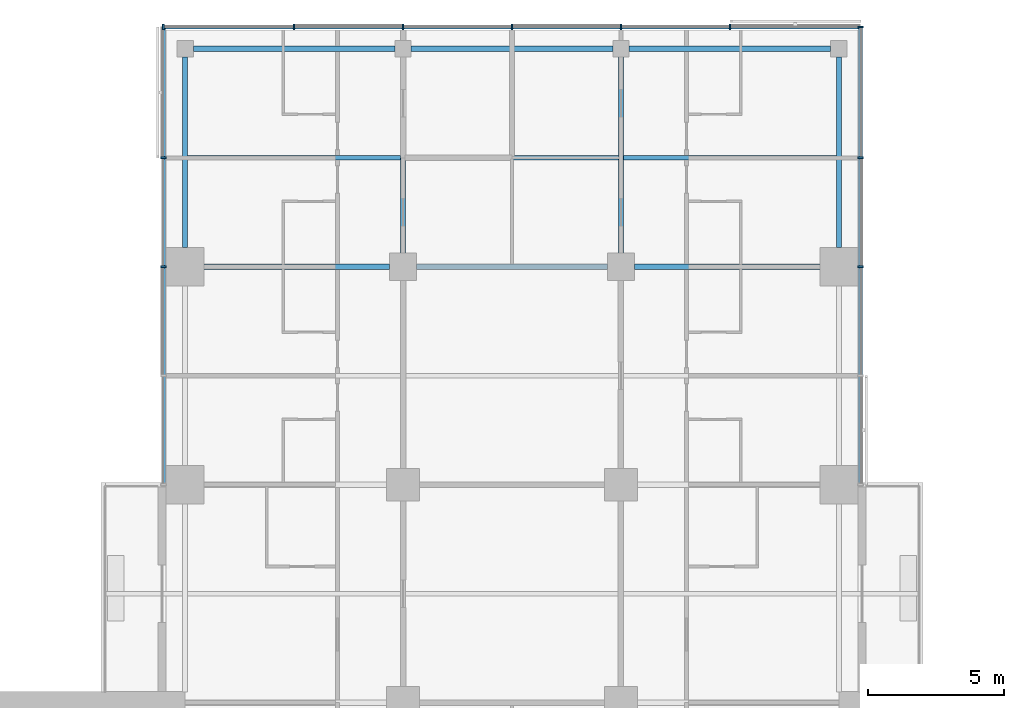
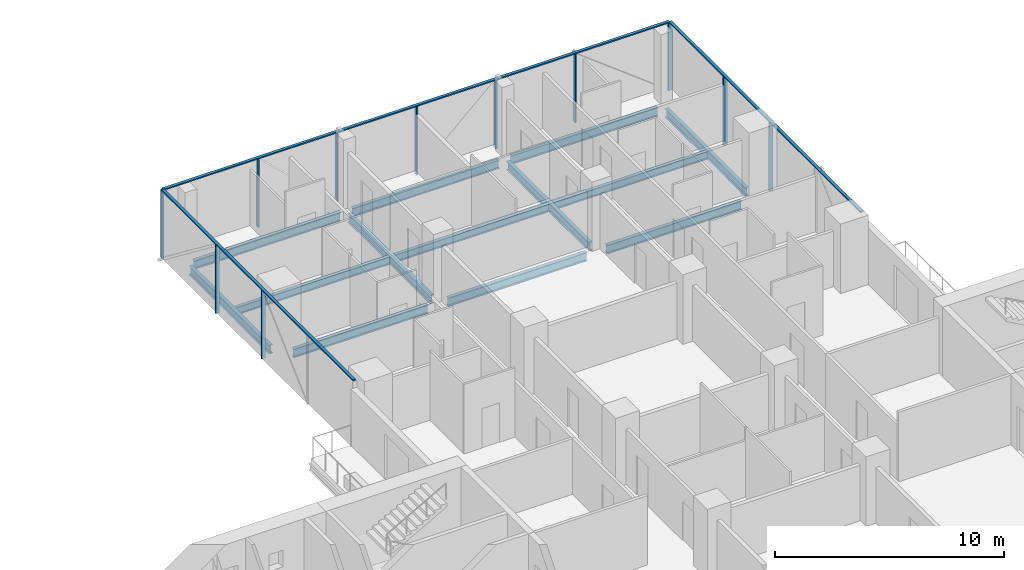
# One storey, part 12 of 29: 14 members, 13 beams, 3 elements without a shape of their own.
"""IFC4 building model written with IfcOpenShell, lengths in metres."""

from ifc_helpers import new_model, si_unit, direction, frame, origin, origin_2d, place, context, subcontext, project, spatial, rectangle, i_section, extrude, material, material_profile, profile_set, type_object, element, aggregate, save


model = new_model("IFC4")

# Units and contexts
model_context = context("Model", 3, precision=1e-05, world=origin(), true_north=direction((0.0, 1.0)))
body_context = subcontext(model_context, "Body", "Model", "MODEL_VIEW")
ifc_project = project(units=[si_unit("LENGTHUNIT", "METRE"), si_unit("AREAUNIT", "SQUARE_METRE"), si_unit("VOLUMEUNIT", "CUBIC_METRE"), si_unit("PLANEANGLEUNIT", "RADIAN"), si_unit("MASSUNIT", "GRAM", prefix="KILO")], contexts=[model_context])

# Site, building, storey
site_placement = place(None, origin())
site = spatial("IfcSite", under=ifc_project, at=site_placement, CompositionType="ELEMENT")
building_placement = place(site_placement, origin())
building = spatial("IfcBuilding", under=site, at=building_placement, Name="Crosswind Convention Tower", CompositionType="ELEMENT")
storey_placement = place(building_placement, frame((0.0, 0.0, 57.199951171875)))
storey = spatial("IfcBuildingStorey", under=building, at=storey_placement, Name="L08", CompositionType="ELEMENT", Elevation=57.199951171875)

# Beams
ifc_material_1 = material(Name="Steel S355", Category="steel")
ifc_material_profile_1 = material_profile(ifc_material_1, i_section(OverallWidth=0.1904296875, OverallDepth=0.457275390625, WebThickness=0.009033203125, FlangeThickness=0.014404296875, FilletRadius=0.01025390625, at=origin_2d()), Name="UB 457x191x75")
ifc_profile_set_1 = profile_set([ifc_material_profile_1], Name="Steel S355")
beam_type_1 = type_object("IfcBeamType", Name="Edge beam UB 457x191x75", PredefinedType="SPANDREL", material=ifc_profile_set_1)
beam_1_placement = place(storey_placement, frame((113.0, 128.699951171875, -0.508544921875), z_axis=(0.0, 1.0, 0.0), x_axis=(-1.0, 0.0, 0.0)))
element("IfcBeam", 1, at=beam_1_placement, inside=storey, type_object=beam_type_1, Name="B17 L08 edge beam 11", PredefinedType="SPANDREL", context=body_context, shape_type="SweptSolid", body=[
    extrude(i_section(OverallWidth=0.1904296875, OverallDepth=0.457275390625, WebThickness=0.009033203125, FlangeThickness=0.014404296875, FilletRadius=0.01025390625, at=origin_2d()), origin(), (0.0, 0.0, 1.0), 7.0),
])
for number, where, z_axis, x_axis, name in (
    (2, (113.300048828125, 136.0, -0.508544921875), (1.0, 0.0, 0.0), (0.0, 1.0, 0.0), "B17 L08 edge beam 13"),
    (3, (121.300048828125, 136.0, -0.508544921875), (1.0, 0.0, 0.0), (0.0, 1.0, 0.0), "B17 L08 edge beam 15"),
    (4, (129.300048828125, 136.0, -0.508544921875), (1.0, 0.0, 0.0), (0.0, 1.0, 0.0), "B17 L08 edge beam 17"),
):
    element("IfcBeam", number, at=place(storey_placement, frame(where, z_axis=z_axis, x_axis=x_axis)), inside=storey, type_object=beam_type_1, Name=name, PredefinedType="SPANDREL", context=body_context, shape_type="SweptSolid", body=[
        extrude(i_section(OverallWidth=0.1904296875, OverallDepth=0.457275390625, WebThickness=0.009033203125, FlangeThickness=0.014404296875, FilletRadius=0.01025390625, at=origin_2d()), origin(), (0.0, 0.0, 1.0), 7.39990234375),
    ])
beam_2_placement = place(storey_placement, frame((137.0, 128.699951171875, -0.508544921875), z_axis=(0.0, 1.0, 0.0), x_axis=(-1.0, 0.0, 0.0)))
element("IfcBeam", 5, at=beam_2_placement, inside=storey, type_object=beam_type_1, Name="B17 L08 edge beam 23", PredefinedType="SPANDREL", context=body_context, shape_type="SweptSolid", body=[
    extrude(i_section(OverallWidth=0.1904296875, OverallDepth=0.457275390625, WebThickness=0.009033203125, FlangeThickness=0.014404296875, FilletRadius=0.01025390625, at=origin_2d()), origin(), (0.0, 0.0, 1.0), 7.0),
])
ifc_material_profile_2 = material_profile(ifc_material_1, i_section(OverallWidth=0.19140625, OverallDepth=0.460205078125, WebThickness=0.010009765625, FlangeThickness=0.01611328125, FilletRadius=0.01025390625, at=origin_2d()), Name="UB 457x191x82")
ifc_profile_set_2 = profile_set([ifc_material_profile_2], Name="Steel S355")
beam_type_2 = type_object("IfcBeamType", Name="Girder UB 457x191x82", PredefinedType="BEAM", material=ifc_profile_set_2)
beam_3_placement = place(storey_placement, frame((113.699951171875, 128.0, -0.510009765625), z_axis=(1.0, 0.0, 0.0), x_axis=(0.0, 1.0, 0.0)))
element("IfcBeam", 6, at=beam_3_placement, inside=storey, type_object=beam_type_2, Name="B3 L08 girder 4", PredefinedType="BEAM", context=body_context, shape_type="SweptSolid", body=[
    extrude(i_section(OverallWidth=0.19140625, OverallDepth=0.460205078125, WebThickness=0.010009765625, FlangeThickness=0.01611328125, FilletRadius=0.01025390625, at=origin_2d()), origin(), (0.0, 0.0, 1.0), 6.800048828125),
])
beam_4_placement = place(storey_placement, frame((121.0, 128.5, -0.510009765625), z_axis=(0.0, 1.0, 0.0), x_axis=(-1.0, 0.0, 0.0)))
element("IfcBeam", 7, at=beam_4_placement, inside=storey, type_object=beam_type_2, Name="B3 L08 girder 13", PredefinedType="BEAM", context=body_context, shape_type="SweptSolid", body=[
    extrude(i_section(OverallWidth=0.19140625, OverallDepth=0.460205078125, WebThickness=0.010009765625, FlangeThickness=0.01611328125, FilletRadius=0.01025390625, at=origin_2d()), origin(), (0.0, 0.0, 1.0), 7.199951171875),
])
beam_5_placement = place(storey_placement, frame((121.5, 128.0, -0.510009765625), z_axis=(1.0, 0.0, 0.0), x_axis=(0.0, 1.0, 0.0)))
element("IfcBeam", 8, at=beam_5_placement, inside=storey, type_object=beam_type_2, Name="B3 L08 girder 15", PredefinedType="BEAM", context=body_context, shape_type="SweptSolid", body=[
    extrude(i_section(OverallWidth=0.19140625, OverallDepth=0.460205078125, WebThickness=0.010009765625, FlangeThickness=0.01611328125, FilletRadius=0.01025390625, at=origin_2d()), origin(), (0.0, 0.0, 1.0), 7.0),
])
beam_6_placement = place(storey_placement, frame((129.0, 128.5, -0.510009765625), z_axis=(0.0, 1.0, 0.0), x_axis=(-1.0, 0.0, 0.0)))
element("IfcBeam", 9, at=beam_6_placement, inside=storey, type_object=beam_type_2, Name="B3 L08 girder 30", PredefinedType="BEAM", context=body_context, shape_type="SweptSolid", body=[
    extrude(i_section(OverallWidth=0.19140625, OverallDepth=0.460205078125, WebThickness=0.010009765625, FlangeThickness=0.01611328125, FilletRadius=0.01025390625, at=origin_2d()), origin(), (0.0, 0.0, 1.0), 7.199951171875),
])
beam_7_placement = place(storey_placement, frame((129.5, 128.0, -0.510009765625), z_axis=(1.0, 0.0, 0.0), x_axis=(0.0, 1.0, 0.0)))
element("IfcBeam", 10, at=beam_7_placement, inside=storey, type_object=beam_type_2, Name="B3 L08 girder 32", PredefinedType="BEAM", context=body_context, shape_type="SweptSolid", body=[
    extrude(i_section(OverallWidth=0.19140625, OverallDepth=0.460205078125, WebThickness=0.010009765625, FlangeThickness=0.01611328125, FilletRadius=0.01025390625, at=origin_2d()), origin(), (0.0, 0.0, 1.0), 6.800048828125),
])

# Curtain wall, members
ifc_material_2 = material(Name="Aluminium unitised curtain wall", Category="aluminium")
curtain_wall_type = type_object("IfcCurtainWallType", Name="HOTEL UNITISED WALL 200", PredefinedType="USERDEFINED", material=ifc_material_2)
curtain_wall_1_placement = place(storey_placement, origin())
curtain_wall_1 = element("IfcCurtainWall", 11, at=curtain_wall_1_placement, inside=storey, type_object=curtain_wall_type, Name="CW2 L08 N-E 1", ObjectType="UNITISED", PredefinedType="USERDEFINED")
ifc_material_3 = material(Name="Aluminium mullion", Category="aluminium")
ifc_material_profile_3 = material_profile(ifc_material_3, rectangle(XDim=0.199951171875, YDim=0.06494140625, at=origin_2d()), Name="AL 200X65")
ifc_profile_set_3 = profile_set([ifc_material_profile_3], Name="Aluminium mullion")
member_type_1 = type_object("IfcMemberType", Name="MULLION 65X200", PredefinedType="MULLION", material=ifc_profile_set_3)
member_1_placement = place(storey_placement, frame((137.800048828125, 128.0, -0.280029296875), z_axis=(0.0, 0.0, 1.0), x_axis=(1.0, 0.0, 0.0)))
member_1 = element("IfcMember", 12, at=member_1_placement, type_object=member_type_1, Name="CW2 mullion 3", PredefinedType="MULLION", context=body_context, shape_type="SweptSolid", body=[
    extrude(rectangle(XDim=0.199951171875, YDim=0.06494140625, at=origin_2d()), origin(), (0.0, 0.0, 1.0), 3.635009765625),
])
member_2_placement = place(storey_placement, frame((137.800048828125, 132.0, -0.280029296875), z_axis=(0.0, 0.0, 1.0), x_axis=(1.0, 0.0, 0.0)))
member_2 = element("IfcMember", 13, at=member_2_placement, type_object=member_type_1, Name="CW2 mullion 4", PredefinedType="MULLION", context=body_context, shape_type="SweptSolid", body=[
    extrude(rectangle(XDim=0.199951171875, YDim=0.06494140625, at=origin_2d()), origin(), (0.0, 0.0, 1.0), 3.635009765625),
])
member_3_placement = place(storey_placement, frame((137.800048828125, 136.800048828125, -0.280029296875), z_axis=(0.0, 0.0, 1.0), x_axis=(1.0, 0.0, 0.0)))
member_3 = element("IfcMember", 14, at=member_3_placement, type_object=member_type_1, Name="CW2 mullion 5", PredefinedType="MULLION", context=body_context, shape_type="SweptSolid", body=[
    extrude(rectangle(XDim=0.199951171875, YDim=0.06494140625, at=origin_2d()), origin(), (0.0, 0.0, 1.0), 3.635009765625),
])

curtain_wall_2_placement = place(storey_placement, origin())
curtain_wall_2 = element("IfcCurtainWall", 15, at=curtain_wall_2_placement, inside=storey, type_object=curtain_wall_type, Name="CW2 L08 N-TIP 1", ObjectType="UNITISED", PredefinedType="USERDEFINED")
member_4_placement = place(storey_placement, frame((133.0, 136.800048828125, -0.280029296875), z_axis=(0.0, 0.0, 1.0), x_axis=(0.0, 1.0, 0.0)))
member_4 = element("IfcMember", 16, at=member_4_placement, type_object=member_type_1, Name="CW2 mullion 2", PredefinedType="MULLION", context=body_context, shape_type="SweptSolid", body=[
    extrude(rectangle(XDim=0.199951171875, YDim=0.06494140625, at=origin_2d()), origin(), (0.0, 0.0, 1.0), 3.635009765625),
])
member_5_placement = place(storey_placement, frame((129.0, 136.800048828125, -0.280029296875), z_axis=(0.0, 0.0, 1.0), x_axis=(0.0, 1.0, 0.0)))
member_5 = element("IfcMember", 17, at=member_5_placement, type_object=member_type_1, Name="CW2 mullion 3", PredefinedType="MULLION", context=body_context, shape_type="SweptSolid", body=[
    extrude(rectangle(XDim=0.199951171875, YDim=0.06494140625, at=origin_2d()), origin(), (0.0, 0.0, 1.0), 3.635009765625),
])
member_6_placement = place(storey_placement, frame((125.0, 136.800048828125, -0.280029296875), z_axis=(0.0, 0.0, 1.0), x_axis=(0.0, 1.0, 0.0)))
member_6 = element("IfcMember", 18, at=member_6_placement, type_object=member_type_1, Name="CW2 mullion 4", PredefinedType="MULLION", context=body_context, shape_type="SweptSolid", body=[
    extrude(rectangle(XDim=0.199951171875, YDim=0.06494140625, at=origin_2d()), origin(), (0.0, 0.0, 1.0), 3.635009765625),
])
member_7_placement = place(storey_placement, frame((121.0, 136.800048828125, -0.280029296875), z_axis=(0.0, 0.0, 1.0), x_axis=(0.0, 1.0, 0.0)))
member_7 = element("IfcMember", 19, at=member_7_placement, type_object=member_type_1, Name="CW2 mullion 5", PredefinedType="MULLION", context=body_context, shape_type="SweptSolid", body=[
    extrude(rectangle(XDim=0.199951171875, YDim=0.06494140625, at=origin_2d()), origin(), (0.0, 0.0, 1.0), 3.635009765625),
])
member_8_placement = place(storey_placement, frame((117.0, 136.800048828125, -0.280029296875), z_axis=(0.0, 0.0, 1.0), x_axis=(0.0, 1.0, 0.0)))
member_8 = element("IfcMember", 20, at=member_8_placement, type_object=member_type_1, Name="CW2 mullion 6", PredefinedType="MULLION", context=body_context, shape_type="SweptSolid", body=[
    extrude(rectangle(XDim=0.199951171875, YDim=0.06494140625, at=origin_2d()), origin(), (0.0, 0.0, 1.0), 3.635009765625),
])
member_9_placement = place(storey_placement, frame((112.199951171875, 136.800048828125, -0.280029296875), z_axis=(0.0, 0.0, 1.0), x_axis=(0.0, 1.0, 0.0)))
member_9 = element("IfcMember", 21, at=member_9_placement, type_object=member_type_1, Name="CW2 mullion 7", PredefinedType="MULLION", context=body_context, shape_type="SweptSolid", body=[
    extrude(rectangle(XDim=0.199951171875, YDim=0.06494140625, at=origin_2d()), origin(), (0.0, 0.0, 1.0), 3.635009765625),
])

curtain_wall_3_placement = place(storey_placement, origin())
curtain_wall_3 = element("IfcCurtainWall", 22, at=curtain_wall_3_placement, inside=storey, type_object=curtain_wall_type, Name="CW2 L08 N-W 1", ObjectType="UNITISED", PredefinedType="USERDEFINED")
member_10_placement = place(storey_placement, frame((112.199951171875, 132.0, -0.280029296875), z_axis=(0.0, 0.0, 1.0), x_axis=(-1.0, 0.0, 0.0)))
member_10 = element("IfcMember", 23, at=member_10_placement, type_object=member_type_1, Name="CW2 mullion 2", PredefinedType="MULLION", context=body_context, shape_type="SweptSolid", body=[
    extrude(rectangle(XDim=0.199951171875, YDim=0.06494140625, at=origin_2d()), origin(), (0.0, 0.0, 1.0), 3.635009765625),
])
member_11_placement = place(storey_placement, frame((112.199951171875, 128.0, -0.280029296875), z_axis=(0.0, 0.0, 1.0), x_axis=(-1.0, 0.0, 0.0)))
member_11 = element("IfcMember", 24, at=member_11_placement, type_object=member_type_1, Name="CW2 mullion 3", PredefinedType="MULLION", context=body_context, shape_type="SweptSolid", body=[
    extrude(rectangle(XDim=0.199951171875, YDim=0.06494140625, at=origin_2d()), origin(), (0.0, 0.0, 1.0), 3.635009765625),
])

# Beams
ifc_material_profile_4 = material_profile(ifc_material_1, i_section(OverallWidth=0.177734375, OverallDepth=0.406494140625, WebThickness=0.0078125, FlangeThickness=0.0126953125, FilletRadius=0.01025390625, at=origin_2d()), Name="UB 406x178x60")
ifc_profile_set_4 = profile_set([ifc_material_profile_4], Name="Steel S355")
beam_type_3 = type_object("IfcBeamType", Name="Secondary beam UB 406x178x60", PredefinedType="JOIST", material=ifc_profile_set_4)
beam_8_placement = place(storey_placement, frame((113.09521484375, 132.0, -0.483154296875), z_axis=(1.0, 0.0, 0.0), x_axis=(0.0, 1.0, 0.0)))
element("IfcBeam", 25, at=beam_8_placement, inside=storey, type_object=beam_type_3, Name="B10 L08 secondary beam 12", PredefinedType="JOIST", context=body_context, shape_type="SweptSolid", body=[
    extrude(i_section(OverallWidth=0.177734375, OverallDepth=0.406494140625, WebThickness=0.0078125, FlangeThickness=0.0126953125, FilletRadius=0.01025390625, at=origin_2d()), origin(), (0.0, 0.0, 1.0), 7.80908203125),
])
beam_9_placement = place(storey_placement, frame((121.095703125, 132.0, -0.483154296875), z_axis=(1.0, 0.0, 0.0), x_axis=(0.0, 1.0, 0.0)))
element("IfcBeam", 26, at=beam_9_placement, inside=storey, type_object=beam_type_3, Name="B10 L08 secondary beam 21", PredefinedType="JOIST", context=body_context, shape_type="SweptSolid", body=[
    extrude(i_section(OverallWidth=0.177734375, OverallDepth=0.406494140625, WebThickness=0.0078125, FlangeThickness=0.0126953125, FilletRadius=0.01025390625, at=origin_2d()), origin(), (0.0, 0.0, 1.0), 7.80859375),
])
beam_10_placement = place(storey_placement, frame((129.095703125, 132.0, -0.483154296875), z_axis=(1.0, 0.0, 0.0), x_axis=(0.0, 1.0, 0.0)))
element("IfcBeam", 27, at=beam_10_placement, inside=storey, type_object=beam_type_3, Name="B10 L08 secondary beam 30", PredefinedType="JOIST", context=body_context, shape_type="SweptSolid", body=[
    extrude(i_section(OverallWidth=0.177734375, OverallDepth=0.406494140625, WebThickness=0.0078125, FlangeThickness=0.0126953125, FilletRadius=0.01025390625, at=origin_2d()), origin(), (0.0, 0.0, 1.0), 7.80908203125),
])

# Member
ifc_material_4 = material(Name="Aluminium transom", Category="aluminium")
ifc_material_profile_5 = material_profile(ifc_material_4, rectangle(XDim=0.14990234375, YDim=0.06494140625, at=origin_2d()), Name="AL 150X65")
ifc_profile_set_5 = profile_set([ifc_material_profile_5], Name="Aluminium transom")
member_type_2 = type_object("IfcMemberType", Name="TRANSOM 65X150", PredefinedType="USERDEFINED", material=ifc_profile_set_5)
member_12_placement = place(storey_placement, frame((137.800048828125, 120.032470703125, 3.387451171875), z_axis=(0.0, 1.0, 0.0), x_axis=(-1.0, 0.0, 0.0)))
member_12 = element("IfcMember", 28, at=member_12_placement, type_object=member_type_2, Name="CW2 transom", ObjectType="TRANSOM", PredefinedType="USERDEFINED", context=body_context, shape_type="SweptSolid", body=[
    extrude(rectangle(XDim=0.14990234375, YDim=0.06494140625, at=origin_2d()), origin(), (0.0, 0.0, 1.0), 16.735107421875),
])

aggregate(curtain_wall_1, [member_1, member_2, member_3, member_12])

member_13_placement = place(storey_placement, frame((137.767578125, 136.800048828125, 3.387451171875), z_axis=(-1.0, 0.0, 0.0), x_axis=(0.0, -1.0, 0.0)))
member_13 = element("IfcMember", 29, at=member_13_placement, type_object=member_type_2, Name="CW2 transom", ObjectType="TRANSOM", PredefinedType="USERDEFINED", context=body_context, shape_type="SweptSolid", body=[
    extrude(rectangle(XDim=0.14990234375, YDim=0.06494140625, at=origin_2d()), origin(), (0.0, 0.0, 1.0), 25.53515625),
])

aggregate(curtain_wall_2, [member_4, member_5, member_6, member_7, member_8, member_9, member_13])

member_14_placement = place(storey_placement, frame((112.199951171875, 136.767578125, 3.387451171875), z_axis=(0.0, -1.0, 0.0), x_axis=(1.0, 0.0, 0.0)))
member_14 = element("IfcMember", 30, at=member_14_placement, type_object=member_type_2, Name="CW2 transom", ObjectType="TRANSOM", PredefinedType="USERDEFINED", context=body_context, shape_type="SweptSolid", body=[
    extrude(rectangle(XDim=0.14990234375, YDim=0.06494140625, at=origin_2d()), origin(), (0.0, 0.0, 1.0), 16.735107421875),
])

aggregate(curtain_wall_3, [member_10, member_11, member_14])

save(model, "model.ifc")
